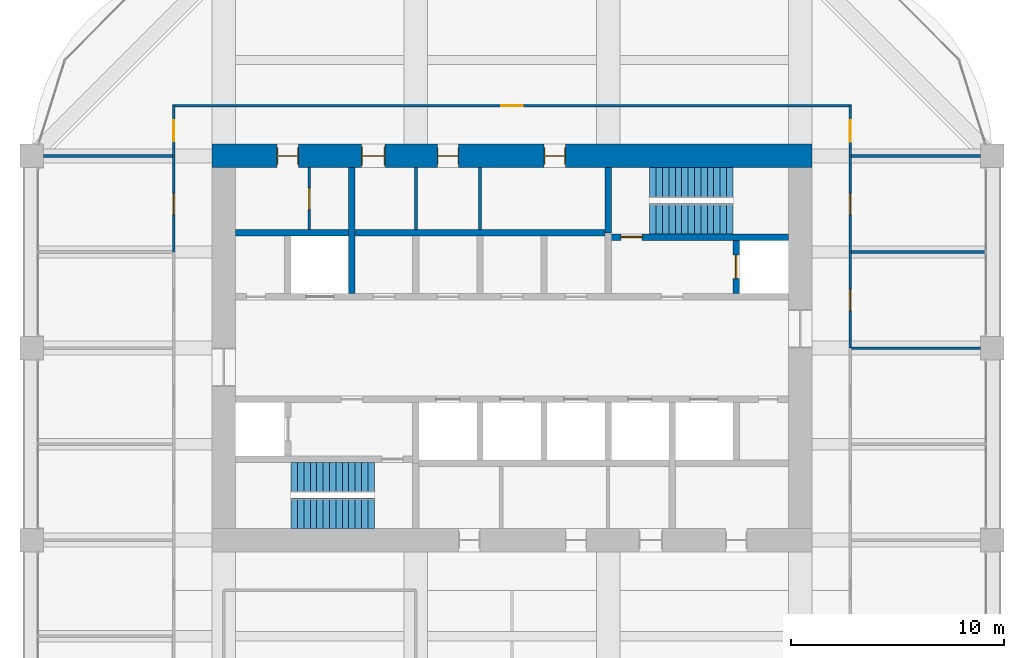
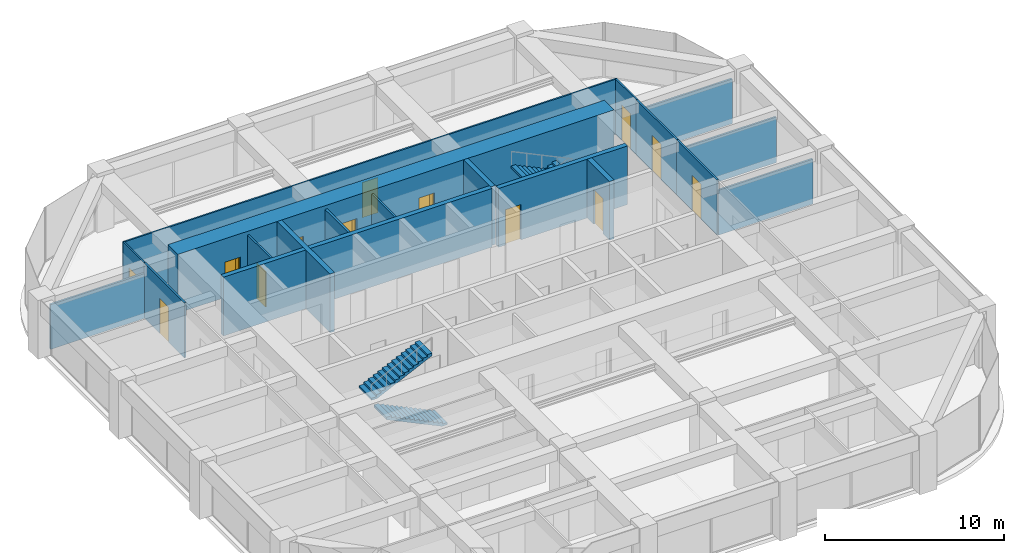
# One storey, part 43 of 44: 19 walls, 13 doors, 4 stair flights, 13 openings, 2 elements without a shape of their own.
"""IFC4 building model written with IfcOpenShell, lengths in metres."""

from ifc_helpers import new_model, si_unit, direction, frame, frame_2d, origin, place, context, subcontext, project, spatial, polyline, rectangle, outline, extrude, material, layer, layer_set, type_object, element, fill, aggregate, save


model = new_model("IFC4")

# Units and contexts
model_context = context("Model", 3, precision=1e-05, world=origin(), true_north=direction((0.0, 1.0)))
body_context = subcontext(model_context, "Body", "Model", "MODEL_VIEW")
ifc_project = project(units=[si_unit("LENGTHUNIT", "METRE"), si_unit("AREAUNIT", "SQUARE_METRE"), si_unit("VOLUMEUNIT", "CUBIC_METRE"), si_unit("PLANEANGLEUNIT", "RADIAN"), si_unit("MASSUNIT", "GRAM", prefix="KILO")], contexts=[model_context])

# Site, building, storey
site_placement = place(None, origin())
site = spatial("IfcSite", under=ifc_project, at=site_placement, CompositionType="ELEMENT")
building_placement = place(site_placement, origin())
building = spatial("IfcBuilding", under=site, at=building_placement, Name="Zorevar Civic Tower", CompositionType="ELEMENT")
storey_placement = place(building_placement, frame((0.0, 0.0, 259.39990234375)))
storey = spatial("IfcBuildingStorey", under=building, at=storey_placement, Name="L63", CompositionType="ELEMENT", Elevation=259.39990234375)

# Wall, openings, doors
ifc_material_1 = material(Name="Concrete C50/60", Category="concrete")
ifc_layer_1 = layer(ifc_material_1, 1.10009765625)
ifc_layer_set_1 = layer_set([ifc_layer_1], Name="Core wall 1100")
wall_type_1 = type_object("IfcWallType", Name="Core wall 1100", PredefinedType="SHEAR", material=ifc_layer_set_1)
wall_1_placement = place(storey_placement, frame((45.550048828125, 36.0, 0.0), z_axis=(0.0, 0.0, 1.0), x_axis=(-1.0, 0.0, 0.0)))
wall_1 = element("IfcWall", 1, at=wall_1_placement, inside=storey, type_object=wall_type_1, Name="Core wall N L63", PredefinedType="SHEAR", context=body_context, shape_type="SweptSolid", body=[
    extrude(rectangle(XDim=28.10009765625, YDim=1.10009765625, at=frame_2d((14.050048828125, 0.0))), origin(), (0.0, 0.0, 1.0), 4.0),
])
opening_1_placement = place(wall_1_placement, frame((11.550048828125, 0.0, 0.0)))
opening_1 = element("IfcOpeningElement", 2, at=opening_1_placement, cuts=wall_1, Name="Opening L63.07", PredefinedType="OPENING", context=body_context, shape_type="SweptSolid", body=[
    extrude(rectangle(XDim=1.0, YDim=2.39990234375, at=frame_2d((0.5, 1.199951171875))), frame((0.0, 0.56005859375, 0.0), z_axis=(0.0, -1.0, 0.0), x_axis=(1.0, 0.0, 0.0)), (0.0, 0.0, 1.0), 1.1201171875),
])
opening_2_placement = place(wall_1_placement, frame((16.550048828125, 0.0, 0.0)))
opening_2 = element("IfcOpeningElement", 3, at=opening_2_placement, cuts=wall_1, Name="Opening L63.08", PredefinedType="OPENING", context=body_context, shape_type="SweptSolid", body=[
    extrude(rectangle(XDim=1.0, YDim=2.39990234375, at=frame_2d((0.5, 1.199951171875))), frame((0.0, 0.56005859375, 0.0), z_axis=(0.0, -1.0, 0.0), x_axis=(1.0, 0.0, 0.0)), (0.0, 0.0, 1.0), 1.1201171875),
])
opening_3_placement = place(wall_1_placement, frame((20.0, 0.0, 0.0)))
opening_3 = element("IfcOpeningElement", 4, at=opening_3_placement, cuts=wall_1, Name="Opening L63.09", PredefinedType="OPENING", context=body_context, shape_type="SweptSolid", body=[
    extrude(rectangle(XDim=1.10009765625, YDim=2.39990234375, at=frame_2d((0.550048828125, 1.199951171875))), frame((0.0, 0.56005859375, 0.0), z_axis=(0.0, -1.0, 0.0), x_axis=(1.0, 0.0, 0.0)), (0.0, 0.0, 1.0), 1.1201171875),
])
opening_4_placement = place(wall_1_placement, frame((24.050048828125, 0.0, 0.0)))
opening_4 = element("IfcOpeningElement", 5, at=opening_4_placement, cuts=wall_1, Name="Opening L63.10", PredefinedType="OPENING", context=body_context, shape_type="SweptSolid", body=[
    extrude(rectangle(XDim=1.0, YDim=2.39990234375, at=frame_2d((0.5, 1.199951171875))), frame((0.0, 0.56005859375, 0.0), z_axis=(0.0, -1.0, 0.0), x_axis=(1.0, 0.0, 0.0)), (0.0, 0.0, 1.0), 1.1201171875),
])
ifc_material_2 = material(Name="Timber door set", Category="wood")
door_type_1 = type_object("IfcDoorType", Name="Door D1 1000x2400", OperationType="SINGLE_SWING_LEFT", PredefinedType="DOOR", material=ifc_material_2)
door_1_placement = place(opening_1_placement, origin())
door_1 = element("IfcDoor", 6, at=door_1_placement, inside=storey, type_object=door_type_1, Name="Door L63 06", OperationType="SINGLE_SWING_LEFT", OverallHeight=2.39990234375, OverallWidth=1.0, PredefinedType="DOOR", context=body_context, shape_type="SweptSolid", body=[
    extrude(rectangle(XDim=1.0, YDim=2.39990234375, at=frame_2d((0.5, 1.199951171875))), frame((0.0, 0.02490234375, 0.0), z_axis=(0.0, -1.0, 0.0), x_axis=(1.0, 0.0, 0.0)), (0.0, 0.0, 1.0), 0.050048828125),
    extrude(rectangle(XDim=0.04, YDim=2.39990234375, at=frame_2d((0.02001953125, 1.199951171875))), frame((0.0, 0.39990234375, 0.0), z_axis=(0.0, -1.0, 0.0), x_axis=(1.0, 0.0, 0.0)), (0.0, 0.0, 1.0), 0.800048828125),
    extrude(rectangle(XDim=0.04, YDim=2.39990234375, at=frame_2d((0.97998046875, 1.199951171875))), frame((0.0, 0.39990234375, 0.0), z_axis=(0.0, -1.0, 0.0), x_axis=(1.0, 0.0, 0.0)), (0.0, 0.0, 1.0), 0.800048828125),
    extrude(rectangle(XDim=1.0, YDim=0.04, at=frame_2d((0.5, 2.3798828125))), frame((0.0, 0.39990234375, 0.0), z_axis=(0.0, -1.0, 0.0), x_axis=(1.0, 0.0, 0.0)), (0.0, 0.0, 1.0), 0.800048828125),
])
fill(opening_1, door_1)
door_2_placement = place(opening_2_placement, origin())
door_2 = element("IfcDoor", 7, at=door_2_placement, inside=storey, type_object=door_type_1, Name="Door L63 07", OperationType="SINGLE_SWING_RIGHT", OverallHeight=2.39990234375, OverallWidth=1.0, PredefinedType="DOOR", context=body_context, shape_type="SweptSolid", body=[
    extrude(rectangle(XDim=1.0, YDim=2.39990234375, at=frame_2d((0.5, 1.199951171875))), frame((0.0, 0.02490234375, 0.0), z_axis=(0.0, -1.0, 0.0), x_axis=(1.0, 0.0, 0.0)), (0.0, 0.0, 1.0), 0.050048828125),
    extrude(rectangle(XDim=0.04, YDim=2.39990234375, at=frame_2d((0.02001953125, 1.199951171875))), frame((0.0, 0.39990234375, 0.0), z_axis=(0.0, -1.0, 0.0), x_axis=(1.0, 0.0, 0.0)), (0.0, 0.0, 1.0), 0.800048828125),
    extrude(rectangle(XDim=0.04, YDim=2.39990234375, at=frame_2d((0.97998046875, 1.199951171875))), frame((0.0, 0.39990234375, 0.0), z_axis=(0.0, -1.0, 0.0), x_axis=(1.0, 0.0, 0.0)), (0.0, 0.0, 1.0), 0.800048828125),
    extrude(rectangle(XDim=1.0, YDim=0.04, at=frame_2d((0.5, 2.3798828125))), frame((0.0, 0.39990234375, 0.0), z_axis=(0.0, -1.0, 0.0), x_axis=(1.0, 0.0, 0.0)), (0.0, 0.0, 1.0), 0.800048828125),
])
fill(opening_2, door_2)
door_3_placement = place(opening_4_placement, origin())
door_3 = element("IfcDoor", 8, at=door_3_placement, inside=storey, type_object=door_type_1, Name="Door L63 09", OperationType="SINGLE_SWING_RIGHT", OverallHeight=2.39990234375, OverallWidth=1.0, PredefinedType="DOOR", context=body_context, shape_type="SweptSolid", body=[
    extrude(rectangle(XDim=1.0, YDim=2.39990234375, at=frame_2d((0.5, 1.199951171875))), frame((0.0, 0.02490234375, 0.0), z_axis=(0.0, -1.0, 0.0), x_axis=(1.0, 0.0, 0.0)), (0.0, 0.0, 1.0), 0.050048828125),
    extrude(rectangle(XDim=0.04, YDim=2.39990234375, at=frame_2d((0.02001953125, 1.199951171875))), frame((0.0, 0.39990234375, 0.0), z_axis=(0.0, -1.0, 0.0), x_axis=(1.0, 0.0, 0.0)), (0.0, 0.0, 1.0), 0.800048828125),
    extrude(rectangle(XDim=0.04, YDim=2.39990234375, at=frame_2d((0.97998046875, 1.199951171875))), frame((0.0, 0.39990234375, 0.0), z_axis=(0.0, -1.0, 0.0), x_axis=(1.0, 0.0, 0.0)), (0.0, 0.0, 1.0), 0.800048828125),
    extrude(rectangle(XDim=1.0, YDim=0.04, at=frame_2d((0.5, 2.3798828125))), frame((0.0, 0.39990234375, 0.0), z_axis=(0.0, -1.0, 0.0), x_axis=(1.0, 0.0, 0.0)), (0.0, 0.0, 1.0), 0.800048828125),
])
fill(opening_4, door_3)
ifc_material_3 = material(Name="Timber door set", Category="wood")
door_type_2 = type_object("IfcDoorType", Name="Door D5 1100x2400", OperationType="SINGLE_SWING_LEFT", PredefinedType="DOOR", material=ifc_material_3)
door_4_placement = place(opening_3_placement, origin())
door_4 = element("IfcDoor", 9, at=door_4_placement, inside=storey, type_object=door_type_2, Name="Door L63 08", OperationType="SINGLE_SWING_RIGHT", OverallHeight=2.39990234375, OverallWidth=1.10009765625, PredefinedType="DOOR", context=body_context, shape_type="SweptSolid", body=[
    extrude(rectangle(XDim=1.10009765625, YDim=2.39990234375, at=frame_2d((0.550048828125, 1.199951171875))), frame((0.0, 0.02490234375, 0.0), z_axis=(0.0, -1.0, 0.0), x_axis=(1.0, 0.0, 0.0)), (0.0, 0.0, 1.0), 0.050048828125),
    extrude(rectangle(XDim=0.04, YDim=2.39990234375, at=frame_2d((0.02001953125, 1.199951171875))), frame((0.0, 0.43994140625, 0.0), z_axis=(0.0, -1.0, 0.0), x_axis=(1.0, 0.0, 0.0)), (0.0, 0.0, 1.0), 0.880126953125),
    extrude(rectangle(XDim=0.04, YDim=2.39990234375, at=frame_2d((1.080078125, 1.199951171875))), frame((0.0, 0.43994140625, 0.0), z_axis=(0.0, -1.0, 0.0), x_axis=(1.0, 0.0, 0.0)), (0.0, 0.0, 1.0), 0.880126953125),
    extrude(rectangle(XDim=1.10009765625, YDim=0.04, at=frame_2d((0.550048828125, 2.3798828125))), frame((0.0, 0.43994140625, 0.0), z_axis=(0.0, -1.0, 0.0), x_axis=(1.0, 0.0, 0.0)), (0.0, 0.0, 1.0), 0.880126953125),
])
fill(opening_3, door_4)

# Wall, opening, door
ifc_material_4 = material(Name="Laminated glass in black aluminium frame", Category="aluminium")
ifc_layer_2 = layer(ifc_material_4, 0.10009765625)
ifc_layer_set_2 = layer_set([ifc_layer_2], Name="Glazed partition 100")
wall_type_2 = type_object("IfcWallType", Name="Glazed partition 100", PredefinedType="PARTITIONING", material=ifc_layer_set_2)
wall_2_placement = place(storey_placement, frame((15.60009765625, 38.35009765625, 0.0), z_axis=(0.0, 0.0, 1.0), x_axis=(1.0, 0.0, 0.0)))
wall_2 = element("IfcWall", 10, at=wall_2_placement, inside=storey, type_object=wall_type_2, Name="Glazed partition 100 L63", PredefinedType="PARTITIONING", context=body_context, shape_type="SweptSolid", body=[
    extrude(rectangle(XDim=31.7998046875, YDim=0.10009765625, at=frame_2d((15.89990234375, 0.0))), origin(), (0.0, 0.0, 1.0), 3.75),
])
opening_5_placement = place(wall_2_placement, frame((15.39990234375, 0.0, 0.0)))
opening_5 = element("IfcOpeningElement", 11, at=opening_5_placement, cuts=wall_2, Name="Opening L63.23", PredefinedType="OPENING", context=body_context, shape_type="SweptSolid", body=[
    extrude(rectangle(XDim=1.0, YDim=2.39990234375, at=frame_2d((0.5, 1.199951171875))), frame((0.0, 0.06005859375, 0.0), z_axis=(0.0, -1.0, 0.0), x_axis=(1.0, 0.0, 0.0)), (0.0, 0.0, 1.0), 0.1201171875),
])
ifc_material_5 = material(Name="Timber door set", Category="wood")
door_type_3 = type_object("IfcDoorType", Name="Glazed door GD1 1000x2400", OperationType="SINGLE_SWING_LEFT", PredefinedType="DOOR", material=ifc_material_5)
door_5_placement = place(opening_5_placement, origin())
door_5 = element("IfcDoor", 12, at=door_5_placement, inside=storey, type_object=door_type_3, Name="Door L63 D1", OperationType="SINGLE_SWING_RIGHT", OverallHeight=2.39990234375, OverallWidth=1.0, PredefinedType="DOOR", context=body_context, shape_type="SweptSolid", body=[
    extrude(rectangle(XDim=1.0, YDim=2.39990234375, at=frame_2d((0.5, 1.199951171875))), frame((0.0, 0.02001953125, 0.0), z_axis=(0.0, -1.0, 0.0), x_axis=(1.0, 0.0, 0.0)), (0.0, 0.0, 1.0), 0.0400390625),
])
fill(opening_5, door_5)

wall_3_placement = place(storey_placement, frame((15.64990234375, 36.010009765625, 0.0), z_axis=(0.0, 0.0, 1.0), x_axis=(0.0, 1.0, 0.0)))
wall_3 = element("IfcWall", 13, at=wall_3_placement, inside=storey, type_object=wall_type_2, Name="Glazed partition 100 L63", PredefinedType="PARTITIONING", context=body_context, shape_type="SweptSolid", body=[
    extrude(rectangle(XDim=2.340087890625, YDim=0.10009765625, at=frame_2d((1.169921875, 0.0))), origin(), (0.0, 0.0, 1.0), 3.75),
])
opening_6_placement = place(wall_3_placement, frame((0.669921875, 0.0, 0.0)))
opening_6 = element("IfcOpeningElement", 14, at=opening_6_placement, cuts=wall_3, Name="Opening L63.30", PredefinedType="OPENING", context=body_context, shape_type="SweptSolid", body=[
    extrude(rectangle(XDim=1.0, YDim=2.39990234375, at=frame_2d((0.5, 1.199951171875))), frame((0.0, 0.06005859375, 0.0), z_axis=(0.0, -1.0, 0.0), x_axis=(1.0, 0.0, 0.0)), (0.0, 0.0, 1.0), 0.1201171875),
])
door_6_placement = place(opening_6_placement, origin())
door_6 = element("IfcDoor", 15, at=door_6_placement, inside=storey, type_object=door_type_3, Name="Door L63 D1", OperationType="SINGLE_SWING_RIGHT", OverallHeight=2.39990234375, OverallWidth=1.0, PredefinedType="DOOR", context=body_context, shape_type="SweptSolid", body=[
    extrude(rectangle(XDim=1.0, YDim=2.39990234375, at=frame_2d((0.5, 1.199951171875))), frame((0.0, 0.02001953125, 0.0), z_axis=(0.0, -1.0, 0.0), x_axis=(1.0, 0.0, 0.0)), (0.0, 0.0, 1.0), 0.0400390625),
])
fill(opening_6, door_6)

wall_4_placement = place(storey_placement, frame((47.35009765625, 36.0, 0.0), z_axis=(0.0, 0.0, 1.0), x_axis=(0.0, 1.0, 0.0)))
wall_4 = element("IfcWall", 16, at=wall_4_placement, inside=storey, type_object=wall_type_2, Name="Glazed partition 100 L63", PredefinedType="PARTITIONING", context=body_context, shape_type="SweptSolid", body=[
    extrude(rectangle(XDim=2.35009765625, YDim=0.10009765625, at=frame_2d((1.175048828125, 0.0))), origin(), (0.0, 0.0, 1.0), 3.75),
])
opening_7_placement = place(wall_4_placement, frame((0.675048828125, 0.0, 0.0)))
opening_7 = element("IfcOpeningElement", 17, at=opening_7_placement, cuts=wall_4, Name="Opening L63.37", PredefinedType="OPENING", context=body_context, shape_type="SweptSolid", body=[
    extrude(rectangle(XDim=1.0, YDim=2.39990234375, at=frame_2d((0.5, 1.199951171875))), frame((0.0, 0.06005859375, 0.0), z_axis=(0.0, -1.0, 0.0), x_axis=(1.0, 0.0, 0.0)), (0.0, 0.0, 1.0), 0.1201171875),
])
door_7_placement = place(opening_7_placement, origin())
door_7 = element("IfcDoor", 18, at=door_7_placement, inside=storey, type_object=door_type_3, Name="Door L63 D1", OperationType="SINGLE_SWING_LEFT", OverallHeight=2.39990234375, OverallWidth=1.0, PredefinedType="DOOR", context=body_context, shape_type="SweptSolid", body=[
    extrude(rectangle(XDim=1.0, YDim=2.39990234375, at=frame_2d((0.5, 1.199951171875))), frame((0.0, 0.02001953125, 0.0), z_axis=(0.0, -1.0, 0.0), x_axis=(1.0, 0.0, 0.0)), (0.0, 0.0, 1.0), 0.0400390625),
])
fill(opening_7, door_7)

ifc_material_6 = material(Name="Concrete C40/50", Category="concrete")
ifc_layer_3 = layer(ifc_material_6, 0.300048828125)
ifc_layer_set_3 = layer_set([ifc_layer_3], Name="Inner core wall 300")
wall_type_3 = type_object("IfcWallType", Name="Inner core wall 300", PredefinedType="SHEAR", material=ifc_layer_set_3)
wall_5_placement = place(storey_placement, frame((36.14990234375, 32.199951171875, 0.0), z_axis=(0.0, 0.0, 1.0), x_axis=(1.0, 0.0, 0.0)))
wall_5 = element("IfcWall", 19, at=wall_5_placement, inside=storey, type_object=wall_type_3, Name="Inner core wall N00 L63", PredefinedType="SHEAR", context=body_context, shape_type="SweptSolid", body=[
    extrude(rectangle(XDim=8.300048828125, YDim=0.300048828125, at=frame_2d((4.14990234375, 0.0))), origin(), (0.0, 0.0, 1.0), 4.0),
])
opening_8_placement = place(wall_5_placement, frame((0.449951171875, 0.0, 0.0)))
opening_8 = element("IfcOpeningElement", 20, at=opening_8_placement, cuts=wall_5, Name="Opening L63.12", PredefinedType="OPENING", context=body_context, shape_type="SweptSolid", body=[
    extrude(rectangle(XDim=1.0, YDim=2.39990234375, at=frame_2d((0.5, 1.199951171875))), frame((0.0, 0.159912109375, 0.0), z_axis=(0.0, -1.0, 0.0), x_axis=(1.0, 0.0, 0.0)), (0.0, 0.0, 1.0), 0.320068359375),
])
ifc_material_7 = material(Name="Steel door set", Category="steel")
door_type_4 = type_object("IfcDoorType", Name="Fire door FD1 1000x2400", OperationType="SINGLE_SWING_LEFT", PredefinedType="DOOR", material=ifc_material_7)
door_8_placement = place(opening_8_placement, origin())
door_8 = element("IfcDoor", 21, at=door_8_placement, inside=storey, type_object=door_type_4, Name="Door L63 11", OperationType="SINGLE_SWING_RIGHT", OverallHeight=2.39990234375, OverallWidth=1.0, PredefinedType="DOOR", context=body_context, shape_type="SweptSolid", body=[
    extrude(rectangle(XDim=1.0, YDim=2.39990234375, at=frame_2d((0.5, 1.199951171875))), frame((0.0, 0.030029296875, 0.0), z_axis=(0.0, -1.0, 0.0), x_axis=(1.0, 0.0, 0.0)), (0.0, 0.0, 1.0), 0.06005859375),
])
fill(opening_8, door_8)

# Wall
wall_6_placement = place(storey_placement, frame((36.0, 32.39990234375, 0.0), z_axis=(0.0, 0.0, 1.0), x_axis=(0.0, 1.0, 0.0)))
element("IfcWall", 22, at=wall_6_placement, inside=storey, type_object=wall_type_3, Name="Inner core wall N01 L63", PredefinedType="SHEAR", context=body_context, shape_type="SweptSolid", body=[
    extrude(rectangle(XDim=3.050048828125, YDim=0.300048828125, at=frame_2d((1.52490234375, 0.0))), origin(), (0.0, 0.0, 1.0), 4.0),
])

# Wall, opening, door
wall_7_placement = place(storey_placement, frame((42.0, 29.550048828125, 0.0), z_axis=(0.0, 0.0, 1.0), x_axis=(0.0, 1.0, 0.0)))
wall_7 = element("IfcWall", 23, at=wall_7_placement, inside=storey, type_object=wall_type_3, Name="Inner core wall N02 L63", PredefinedType="SHEAR", context=body_context, shape_type="SweptSolid", body=[
    extrude(rectangle(XDim=2.5, YDim=0.300048828125, at=frame_2d((1.25, 0.0))), origin(), (0.0, 0.0, 1.0), 4.0),
])
opening_9_placement = place(wall_7_placement, frame((0.699951171875, 0.0, 0.0)))
opening_9 = element("IfcOpeningElement", 24, at=opening_9_placement, cuts=wall_7, Name="Opening L63.FL2", PredefinedType="OPENING", context=body_context, shape_type="SweptSolid", body=[
    extrude(rectangle(XDim=1.10009765625, YDim=2.39990234375, at=frame_2d((0.550048828125, 1.199951171875))), frame((0.0, 0.159912109375, 0.0), z_axis=(0.0, -1.0, 0.0), x_axis=(1.0, 0.0, 0.0)), (0.0, 0.0, 1.0), 0.320068359375),
])
ifc_material_8 = material(Name="Steel door set", Category="steel")
door_type_5 = type_object("IfcDoorType", Name="Firefighting lift landing door LD3 1100x2400", OperationType="DOUBLE_DOOR_SLIDING", PredefinedType="DOOR", material=ifc_material_8)
door_9_placement = place(opening_9_placement, origin())
door_9 = element("IfcDoor", 25, at=door_9_placement, inside=storey, type_object=door_type_5, Name="Landing door FL2 L63", OperationType="DOUBLE_DOOR_SLIDING", OverallHeight=2.39990234375, OverallWidth=1.10009765625, PredefinedType="DOOR", context=body_context, shape_type="SweptSolid", body=[
    extrude(rectangle(XDim=1.10009765625, YDim=2.39990234375, at=frame_2d((0.550048828125, 1.199951171875))), frame((0.0, 0.030029296875, 0.0), z_axis=(0.0, -1.0, 0.0), x_axis=(1.0, 0.0, 0.0)), (0.0, 0.0, 1.0), 0.06005859375),
])
fill(opening_9, door_9)

# Walls
wall_8_placement = place(storey_placement, frame((18.550048828125, 32.39990234375, 0.0), z_axis=(0.0, 0.0, 1.0), x_axis=(1.0, 0.0, 0.0)))
element("IfcWall", 26, at=wall_8_placement, inside=storey, type_object=wall_type_3, Name="Inner core wall N04 L63", PredefinedType="SHEAR", context=body_context, shape_type="SweptSolid", body=[
    extrude(rectangle(XDim=17.300048828125, YDim=0.300048828125, at=frame_2d((8.64990234375, 0.0))), origin(), (0.0, 0.0, 1.0), 4.0),
])
wall_9_placement = place(storey_placement, frame((24.0, 29.550048828125, 0.0), z_axis=(0.0, 0.0, 1.0), x_axis=(0.0, 1.0, 0.0)))
element("IfcWall", 27, at=wall_9_placement, inside=storey, type_object=wall_type_3, Name="Inner core wall N08 L63", PredefinedType="SHEAR", context=body_context, shape_type="SweptSolid", body=[
    extrude(rectangle(XDim=5.89990234375, YDim=0.300048828125, at=frame_2d((2.949951171875, 0.0))), origin(), (0.0, 0.0, 1.0), 4.0),
])
ifc_material_9 = material(Name="Gypsum board on steel studs", Category="steel")
ifc_layer_4 = layer(ifc_material_9, 0.1201171875)
ifc_layer_set_4 = layer_set([ifc_layer_4], Name="Partition 120")
wall_type_4 = type_object("IfcWallType", Name="Partition 120", PredefinedType="PARTITIONING", material=ifc_layer_set_4)
wall_10_placement = place(storey_placement, frame((47.35009765625, 27.0, 0.0), z_axis=(0.0, 0.0, 1.0), x_axis=(1.0, 0.0, 0.0)))
element("IfcWall", 28, at=wall_10_placement, inside=storey, type_object=wall_type_4, Name="Partition 120 L63", PredefinedType="PARTITIONING", context=body_context, shape_type="SweptSolid", body=[
    extrude(rectangle(XDim=6.099853515625, YDim=0.1201171875, at=frame_2d((3.0498046875, 0.0))), origin(), (0.0, 0.0, 1.0), 3.050048828125),
])
wall_11_placement = place(storey_placement, frame((47.35009765625, 31.5, 0.0), z_axis=(0.0, 0.0, 1.0), x_axis=(1.0, 0.0, 0.0)))
element("IfcWall", 29, at=wall_11_placement, inside=storey, type_object=wall_type_4, Name="Partition 120 L63", PredefinedType="PARTITIONING", context=body_context, shape_type="SweptSolid", body=[
    extrude(rectangle(XDim=6.33984375, YDim=0.1201171875, at=frame_2d((3.169921875, 0.0))), origin(), (0.0, 0.0, 1.0), 3.10009765625),
])
for number, where, z_axis, x_axis, name in (
    (30, (9.550048828125, 36.0, 0.0), (0.0, 0.0, 1.0), (1.0, 0.0, 0.0), "Partition 120 L63"),
    (31, (47.35009765625, 36.0, 0.0), (0.0, 0.0, 1.0), (1.0, 0.0, 0.0), "Partition 120 L63"),
):
    element("IfcWall", number, at=place(storey_placement, frame(where, z_axis=z_axis, x_axis=x_axis)), inside=storey, type_object=wall_type_4, Name=name, PredefinedType="PARTITIONING", context=body_context, shape_type="SweptSolid", body=[
        extrude(rectangle(XDim=6.099853515625, YDim=0.1201171875, at=frame_2d((3.0498046875, 0.0))), origin(), (0.0, 0.0, 1.0), 3.050048828125),
    ])

# Wall, opening, door
wall_12_placement = place(storey_placement, frame((15.64990234375, 31.5, 0.0), z_axis=(0.0, 0.0, 1.0), x_axis=(0.0, 1.0, 0.0)))
wall_12 = element("IfcWall", 32, at=wall_12_placement, inside=storey, type_object=wall_type_4, Name="Partition 120 L63", PredefinedType="PARTITIONING", context=body_context, shape_type="SweptSolid", body=[
    extrude(rectangle(XDim=4.5, YDim=0.1201171875, at=frame_2d((2.25, 0.0))), origin(), (0.0, 0.0, 1.0), 3.75),
])
opening_10_placement = place(wall_12_placement, frame((1.75, 0.0, 0.0)))
opening_10 = element("IfcOpeningElement", 33, at=opening_10_placement, cuts=wall_12, Name="Opening L63.29", PredefinedType="OPENING", context=body_context, shape_type="SweptSolid", body=[
    extrude(rectangle(XDim=1.0, YDim=2.39990234375, at=frame_2d((0.5, 1.199951171875))), frame((0.0, 0.070068359375, 0.0), z_axis=(0.0, -1.0, 0.0), x_axis=(1.0, 0.0, 0.0)), (0.0, 0.0, 1.0), 0.14013671875),
])
door_10_placement = place(opening_10_placement, origin())
door_10 = element("IfcDoor", 34, at=door_10_placement, inside=storey, type_object=door_type_1, Name="Door L63 D1", OperationType="SINGLE_SWING_RIGHT", OverallHeight=2.39990234375, OverallWidth=1.0, PredefinedType="DOOR", context=body_context, shape_type="SweptSolid", body=[
    extrude(rectangle(XDim=1.0, YDim=2.39990234375, at=frame_2d((0.5, 1.199951171875))), frame((0.0, 0.02490234375, 0.0), z_axis=(0.0, -1.0, 0.0), x_axis=(1.0, 0.0, 0.0)), (0.0, 0.0, 1.0), 0.050048828125),
])
fill(opening_10, door_10)

wall_13_placement = place(storey_placement, frame((47.35009765625, 27.0, 0.0), z_axis=(0.0, 0.0, 1.0), x_axis=(0.0, 1.0, 0.0)))
wall_13 = element("IfcWall", 35, at=wall_13_placement, inside=storey, type_object=wall_type_4, Name="Partition 120 L63", PredefinedType="PARTITIONING", context=body_context, shape_type="SweptSolid", body=[
    extrude(rectangle(XDim=4.5, YDim=0.1201171875, at=frame_2d((2.25, 0.0))), origin(), (0.0, 0.0, 1.0), 3.75),
])
opening_11_placement = place(wall_13_placement, frame((1.75, 0.0, 0.0)))
opening_11 = element("IfcOpeningElement", 36, at=opening_11_placement, cuts=wall_13, Name="Opening L63.35", PredefinedType="OPENING", context=body_context, shape_type="SweptSolid", body=[
    extrude(rectangle(XDim=1.0, YDim=2.39990234375, at=frame_2d((0.5, 1.199951171875))), frame((0.0, 0.070068359375, 0.0), z_axis=(0.0, -1.0, 0.0), x_axis=(1.0, 0.0, 0.0)), (0.0, 0.0, 1.0), 0.14013671875),
])
door_11_placement = place(opening_11_placement, origin())
door_11 = element("IfcDoor", 37, at=door_11_placement, inside=storey, type_object=door_type_1, Name="Door L63 D1", OperationType="SINGLE_SWING_LEFT", OverallHeight=2.39990234375, OverallWidth=1.0, PredefinedType="DOOR", context=body_context, shape_type="SweptSolid", body=[
    extrude(rectangle(XDim=1.0, YDim=2.39990234375, at=frame_2d((0.5, 1.199951171875))), frame((0.0, 0.02490234375, 0.0), z_axis=(0.0, -1.0, 0.0), x_axis=(1.0, 0.0, 0.0)), (0.0, 0.0, 1.0), 0.050048828125),
])
fill(opening_11, door_11)

wall_14_placement = place(storey_placement, frame((47.35009765625, 31.5, 0.0), z_axis=(0.0, 0.0, 1.0), x_axis=(0.0, 1.0, 0.0)))
wall_14 = element("IfcWall", 38, at=wall_14_placement, inside=storey, type_object=wall_type_4, Name="Partition 120 L63", PredefinedType="PARTITIONING", context=body_context, shape_type="SweptSolid", body=[
    extrude(rectangle(XDim=4.5, YDim=0.1201171875, at=frame_2d((2.25, 0.0))), origin(), (0.0, 0.0, 1.0), 3.75),
])
opening_12_placement = place(wall_14_placement, frame((1.75, 0.0, 0.0)))
opening_12 = element("IfcOpeningElement", 39, at=opening_12_placement, cuts=wall_14, Name="Opening L63.36", PredefinedType="OPENING", context=body_context, shape_type="SweptSolid", body=[
    extrude(rectangle(XDim=1.0, YDim=2.39990234375, at=frame_2d((0.5, 1.199951171875))), frame((0.0, 0.070068359375, 0.0), z_axis=(0.0, -1.0, 0.0), x_axis=(1.0, 0.0, 0.0)), (0.0, 0.0, 1.0), 0.14013671875),
])
door_12_placement = place(opening_12_placement, origin())
door_12 = element("IfcDoor", 40, at=door_12_placement, inside=storey, type_object=door_type_1, Name="Door L63 D1", OperationType="SINGLE_SWING_LEFT", OverallHeight=2.39990234375, OverallWidth=1.0, PredefinedType="DOOR", context=body_context, shape_type="SweptSolid", body=[
    extrude(rectangle(XDim=1.0, YDim=2.39990234375, at=frame_2d((0.5, 1.199951171875))), frame((0.0, 0.02490234375, 0.0), z_axis=(0.0, -1.0, 0.0), x_axis=(1.0, 0.0, 0.0)), (0.0, 0.0, 1.0), 0.050048828125),
])
fill(opening_12, door_12)

# Wall
wall_15_placement = place(storey_placement, frame((30.0, 32.550048828125, 0.0), z_axis=(0.0, 0.0, 1.0), x_axis=(0.0, 1.0, 0.0)))
element("IfcWall", 41, at=wall_15_placement, inside=storey, type_object=wall_type_4, Name="Partition L63", PredefinedType="PARTITIONING", context=body_context, shape_type="SweptSolid", body=[
    extrude(rectangle(XDim=2.89990234375, YDim=0.1201171875, at=frame_2d((1.449951171875, 0.0))), origin(), (0.0, 0.0, 1.0), 3.75),
])

# Wall, opening, door
wall_16_placement = place(storey_placement, frame((22.0, 32.550048828125, 0.0), z_axis=(0.0, 0.0, 1.0), x_axis=(0.0, 1.0, 0.0)))
wall_16 = element("IfcWall", 42, at=wall_16_placement, inside=storey, type_object=wall_type_4, Name="Partition L63", PredefinedType="PARTITIONING", context=body_context, shape_type="SweptSolid", body=[
    extrude(rectangle(XDim=2.89990234375, YDim=0.1201171875, at=frame_2d((1.449951171875, 0.0))), origin(), (0.0, 0.0, 1.0), 3.75),
])
opening_13_placement = place(wall_16_placement, frame((0.949951171875, 0.0, 0.0)))
opening_13 = element("IfcOpeningElement", 43, at=opening_13_placement, cuts=wall_16, Name="Opening L63.38", PredefinedType="OPENING", context=body_context, shape_type="SweptSolid", body=[
    extrude(rectangle(XDim=1.0, YDim=2.39990234375, at=frame_2d((0.5, 1.199951171875))), frame((0.0, 0.070068359375, 0.0), z_axis=(0.0, -1.0, 0.0), x_axis=(1.0, 0.0, 0.0)), (0.0, 0.0, 1.0), 0.14013671875),
])
door_13_placement = place(opening_13_placement, origin())
door_13 = element("IfcDoor", 44, at=door_13_placement, inside=storey, type_object=door_type_4, Name="Door L63 EN", OperationType="SINGLE_SWING_LEFT", OverallHeight=2.39990234375, OverallWidth=1.0, PredefinedType="DOOR", context=body_context, shape_type="SweptSolid", body=[
    extrude(rectangle(XDim=1.0, YDim=2.39990234375, at=frame_2d((0.5, 1.199951171875))), frame((0.0, 0.030029296875, 0.0), z_axis=(0.0, -1.0, 0.0), x_axis=(1.0, 0.0, 0.0)), (0.0, 0.0, 1.0), 0.06005859375),
])
fill(opening_13, door_13)

# Wall
ifc_material_10 = material(Name="Gypsum board on steel studs, moisture resistant", Category="steel")
ifc_layer_5 = layer(ifc_material_10, 0.14990234375)
ifc_layer_set_5 = layer_set([ifc_layer_5], Name="WC partition 150")
wall_type_5 = type_object("IfcWallType", Name="WC partition 150", PredefinedType="PARTITIONING", material=ifc_layer_set_5)
wall_17_placement = place(storey_placement, frame((27.0, 32.550048828125, 0.0), z_axis=(0.0, 0.0, 1.0), x_axis=(0.0, 1.0, 0.0)))
element("IfcWall", 45, at=wall_17_placement, inside=storey, type_object=wall_type_5, Name="WC partition L63", PredefinedType="PARTITIONING", context=body_context, shape_type="SweptSolid", body=[
    extrude(rectangle(XDim=2.89990234375, YDim=0.14990234375, at=frame_2d((1.449951171875, 0.0))), origin(), (0.0, 0.0, 1.0), 3.75),
])

# Stair, stair flights
ifc_material_11 = material(Name="Precast concrete C40/50", Category="concrete")
stair_type = type_object("IfcStairType", Name="Stair ST 28R", PredefinedType="HALF_TURN_STAIR", material=ifc_material_11)
stair_1_placement = place(storey_placement, origin())
stair_1 = element("IfcStair", 46, at=stair_1_placement, inside=storey, type_object=stair_type, Name="Stair ST1 L63", PredefinedType="HALF_TURN_STAIR")
ifc_material_12 = material(Name="Precast concrete C40/50", Category="concrete")
stair_flight_type = type_object("IfcStairFlightType", Name="Stair flight", PredefinedType="STRAIGHT", material=ifc_material_12)
stair_flight_1_placement = place(storey_placement, frame((25.050048828125, 19.262451171875, 0.0), z_axis=(0.0, 0.0, 1.0), x_axis=(-1.0, 0.0, 0.0)))
stair_flight_1 = element("IfcStairFlight", 47, at=stair_flight_1_placement, type_object=stair_flight_type, Name="ST1 flight 1", NumberOfRisers=14, NumberOfTreads=13, PredefinedType="STRAIGHT", RiserHeight=0.142857143, TreadLength=0.3, context=body_context, shape_type="SweptSolid", body=[
    extrude(outline(polyline([(0.0, 0.0), (0.0, 0.142822265625), (0.300048828125, 0.142822265625), (0.300048828125, 0.28564453125), (0.60009765625, 0.28564453125), (0.60009765625, 0.428466796875), (0.89990234375, 0.428466796875), (0.89990234375, 0.571533203125), (1.199951171875, 0.571533203125), (1.199951171875, 0.71435546875), (1.5, 0.71435546875), (1.5, 0.857177734375), (1.800048828125, 0.857177734375), (1.800048828125, 1.0), (2.10009765625, 1.0), (2.10009765625, 1.142822265625), (2.39990234375, 1.142822265625), (2.39990234375, 1.28564453125), (2.699951171875, 1.28564453125), (2.699951171875, 1.428466796875), (3.0, 1.428466796875), (3.0, 1.571533203125), (3.300048828125, 1.571533203125), (3.300048828125, 1.71435546875), (3.60009765625, 1.71435546875), (3.60009765625, 1.857177734375), (3.89990234375, 1.857177734375), (3.89990234375, 2.0), (3.89990234375, 1.691162109375), (0.3486328125, 0.0), (0.0, 0.0)])), frame((0.0, 0.71240234375, 0.0), z_axis=(0.0, -1.0, 0.0), x_axis=(1.0, 0.0, 0.0)), (0.0, 0.0, 1.0), 1.425048828125),
])
stair_flight_2_placement = place(storey_placement, frame((21.14990234375, 20.9375, 2.0), z_axis=(0.0, 0.0, 1.0), x_axis=(1.0, 0.0, 0.0)))
stair_flight_2 = element("IfcStairFlight", 48, at=stair_flight_2_placement, type_object=stair_flight_type, Name="ST1 flight 2", NumberOfRisers=14, NumberOfTreads=13, PredefinedType="STRAIGHT", RiserHeight=0.142857143, TreadLength=0.3, context=body_context, shape_type="SweptSolid", body=[
    extrude(outline(polyline([(0.0, 0.0), (0.0, 0.142822265625), (0.300048828125, 0.142822265625), (0.300048828125, 0.28564453125), (0.60009765625, 0.28564453125), (0.60009765625, 0.428466796875), (0.89990234375, 0.428466796875), (0.89990234375, 0.571533203125), (1.199951171875, 0.571533203125), (1.199951171875, 0.71435546875), (1.5, 0.71435546875), (1.5, 0.857177734375), (1.800048828125, 0.857177734375), (1.800048828125, 1.0), (2.10009765625, 1.0), (2.10009765625, 1.142822265625), (2.39990234375, 1.142822265625), (2.39990234375, 1.28564453125), (2.699951171875, 1.28564453125), (2.699951171875, 1.428466796875), (3.0, 1.428466796875), (3.0, 1.571533203125), (3.300048828125, 1.571533203125), (3.300048828125, 1.71435546875), (3.60009765625, 1.71435546875), (3.60009765625, 1.857177734375), (3.89990234375, 1.857177734375), (3.89990234375, 2.0), (3.89990234375, 1.691162109375), (0.3486328125, 0.0), (0.0, 0.0)])), frame((0.0, 0.71240234375, 0.0), z_axis=(0.0, -1.0, 0.0), x_axis=(1.0, 0.0, 0.0)), (0.0, 0.0, 1.0), 1.425048828125),
])
aggregate(stair_1, [stair_flight_1, stair_flight_2])

stair_2_placement = place(storey_placement, origin())
stair_2 = element("IfcStair", 49, at=stair_2_placement, inside=storey, type_object=stair_type, Name="Stair ST2 L63", PredefinedType="HALF_TURN_STAIR")
stair_flight_3_placement = place(storey_placement, frame((37.949951171875, 34.737548828125, 0.0), z_axis=(0.0, 0.0, 1.0), x_axis=(1.0, 0.0, 0.0)))
stair_flight_3 = element("IfcStairFlight", 50, at=stair_flight_3_placement, type_object=stair_flight_type, Name="ST2 flight 1", NumberOfRisers=14, NumberOfTreads=13, PredefinedType="STRAIGHT", RiserHeight=0.142857143, TreadLength=0.3, context=body_context, shape_type="SweptSolid", body=[
    extrude(outline(polyline([(0.0, 0.0), (0.0, 0.142822265625), (0.300048828125, 0.142822265625), (0.300048828125, 0.28564453125), (0.60009765625, 0.28564453125), (0.60009765625, 0.428466796875), (0.89990234375, 0.428466796875), (0.89990234375, 0.571533203125), (1.199951171875, 0.571533203125), (1.199951171875, 0.71435546875), (1.5, 0.71435546875), (1.5, 0.857177734375), (1.800048828125, 0.857177734375), (1.800048828125, 1.0), (2.10009765625, 1.0), (2.10009765625, 1.142822265625), (2.39990234375, 1.142822265625), (2.39990234375, 1.28564453125), (2.699951171875, 1.28564453125), (2.699951171875, 1.428466796875), (3.0, 1.428466796875), (3.0, 1.571533203125), (3.300048828125, 1.571533203125), (3.300048828125, 1.71435546875), (3.60009765625, 1.71435546875), (3.60009765625, 1.857177734375), (3.89990234375, 1.857177734375), (3.89990234375, 2.0), (3.89990234375, 1.691162109375), (0.3486328125, 0.0), (0.0, 0.0)])), frame((0.0, 0.71240234375, 0.0), z_axis=(0.0, -1.0, 0.0), x_axis=(1.0, 0.0, 0.0)), (0.0, 0.0, 1.0), 1.425048828125),
])
stair_flight_4_placement = place(storey_placement, frame((41.85009765625, 33.0625, 2.0), z_axis=(0.0, 0.0, 1.0), x_axis=(-1.0, 0.0, 0.0)))
stair_flight_4 = element("IfcStairFlight", 51, at=stair_flight_4_placement, type_object=stair_flight_type, Name="ST2 flight 2", NumberOfRisers=14, NumberOfTreads=13, PredefinedType="STRAIGHT", RiserHeight=0.142857143, TreadLength=0.3, context=body_context, shape_type="SweptSolid", body=[
    extrude(outline(polyline([(0.0, 0.0), (0.0, 0.142822265625), (0.300048828125, 0.142822265625), (0.300048828125, 0.28564453125), (0.60009765625, 0.28564453125), (0.60009765625, 0.428466796875), (0.89990234375, 0.428466796875), (0.89990234375, 0.571533203125), (1.199951171875, 0.571533203125), (1.199951171875, 0.71435546875), (1.5, 0.71435546875), (1.5, 0.857177734375), (1.800048828125, 0.857177734375), (1.800048828125, 1.0), (2.10009765625, 1.0), (2.10009765625, 1.142822265625), (2.39990234375, 1.142822265625), (2.39990234375, 1.28564453125), (2.699951171875, 1.28564453125), (2.699951171875, 1.428466796875), (3.0, 1.428466796875), (3.0, 1.571533203125), (3.300048828125, 1.571533203125), (3.300048828125, 1.71435546875), (3.60009765625, 1.71435546875), (3.60009765625, 1.857177734375), (3.89990234375, 1.857177734375), (3.89990234375, 2.0), (3.89990234375, 1.691162109375), (0.3486328125, 0.0), (0.0, 0.0)])), frame((0.0, 0.71240234375, 0.0), z_axis=(0.0, -1.0, 0.0), x_axis=(1.0, 0.0, 0.0)), (0.0, 0.0, 1.0), 1.425048828125),
])
aggregate(stair_2, [stair_flight_3, stair_flight_4])

save(model, "model.ifc")
